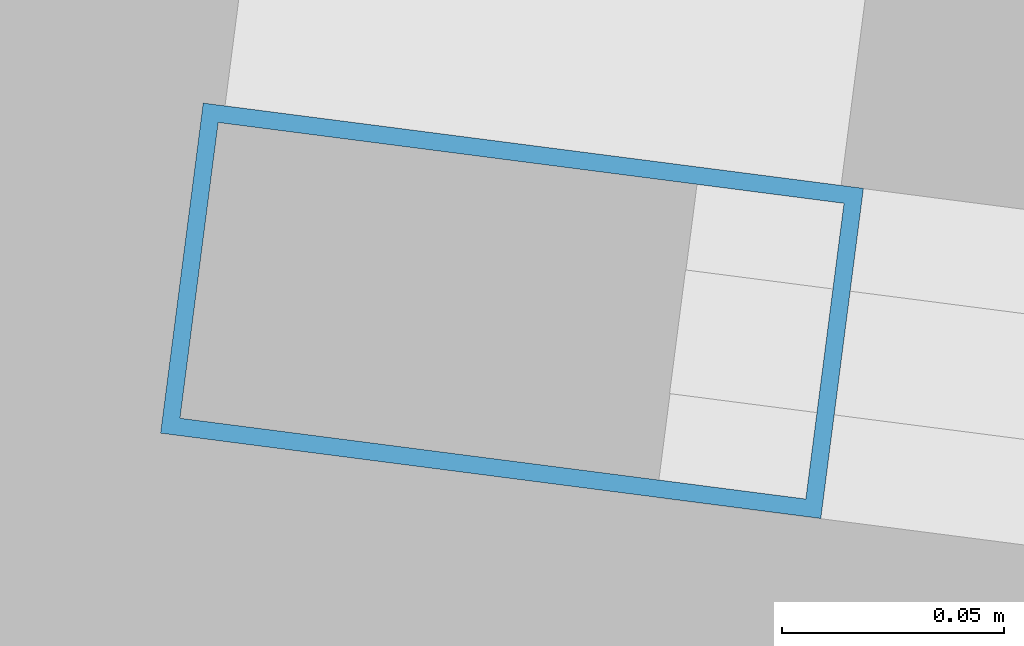
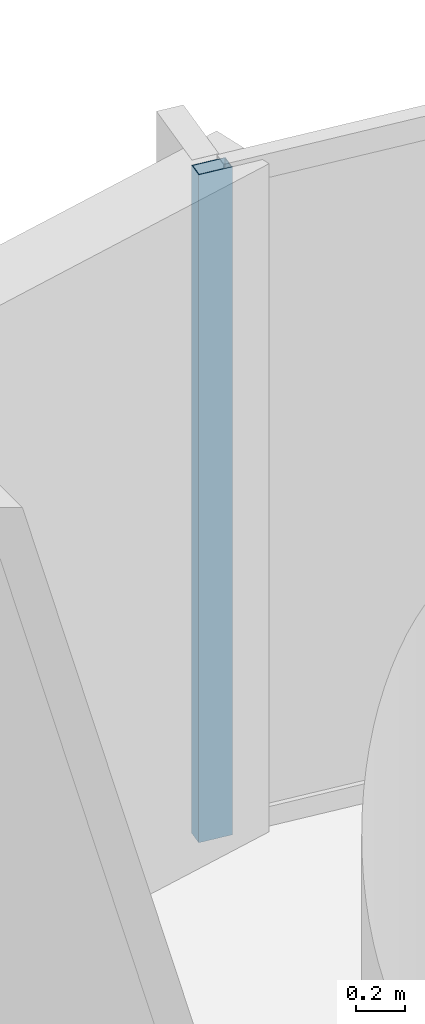
# One storey, part 20 of 32: 1 member, 1 element without a shape of its own.
"""IFC4 building model written with IfcOpenShell, lengths in metres."""

from ifc_helpers import new_model, si_unit, direction, frame, origin, origin_2d, place, context, subcontext, project, spatial, hollow_rectangle, extrude, material, layer, layer_set, material_profile, profile_set, type_object, element, aggregate, save


model = new_model("IFC4")

# Units and contexts
model_context = context("Model", 3, precision=1e-05, world=origin(), true_north=direction((0.0, 1.0)))
body_context = subcontext(model_context, "Body", "Model", "MODEL_VIEW")
ifc_project = project(units=[si_unit("LENGTHUNIT", "METRE"), si_unit("AREAUNIT", "SQUARE_METRE"), si_unit("VOLUMEUNIT", "CUBIC_METRE"), si_unit("PLANEANGLEUNIT", "RADIAN"), si_unit("MASSUNIT", "GRAM", prefix="KILO")], contexts=[model_context])

# Site, building, storey
site_placement = place(None, origin())
site = spatial("IfcSite", under=ifc_project, at=site_placement, CompositionType="ELEMENT")
building_placement = place(site_placement, origin())
building = spatial("IfcBuilding", under=site, at=building_placement, Name="Kazevale Care Tower and Concert Hall", CompositionType="ELEMENT")
storey_placement = place(building_placement, frame((0.0, 0.0, 42.0)))
storey = spatial("IfcBuildingStorey", under=building, at=storey_placement, Name="L10", CompositionType="ELEMENT", Elevation=42.0)

# Curtain wall, member
ifc_material_1 = material(Name="Aluminium 6063-T6 and Low-E Glass", Category="aluminium")
ifc_layer = layer(ifc_material_1, 0.179931640625)
ifc_layer_set = layer_set([ifc_layer], Name="Aluminium 6063-T6 and Low-E Glass")
curtain_wall_type = type_object("IfcCurtainWallType", Name="Convex Recessed Sunroom Curtain Wall CW-3", PredefinedType="NOTDEFINED", material=ifc_layer_set)
curtain_wall_placement = place(storey_placement, origin())
curtain_wall = element("IfcCurtainWall", 1, at=curtain_wall_placement, inside=storey, type_object=curtain_wall_type, Name="cw:L10:f16", PredefinedType="NOTDEFINED")
ifc_material_2 = material(Name="Aluminium 6063-T6", Category="aluminium")
ifc_material_profile = material_profile(ifc_material_2, hollow_rectangle(XDim=0.074951171875, YDim=0.14990234375, WallThickness=0.00390625, at=origin_2d()), Name="ALU75x150x4")
ifc_profile_set = profile_set([ifc_material_profile], Name="Aluminium 6063-T6")
member_type = type_object("IfcMemberType", Name="CW-3 Mullion ALU75x150x4", PredefinedType="MULLION", material=ifc_profile_set)
member_placement = place(storey_placement, frame((45.0771484375, 65.417236328125, 0.0), z_axis=(0.0, 0.0, 1.0), x_axis=(0.128086196538, 0.991763039368, 0.0)))
member = element("IfcMember", 2, at=member_placement, type_object=member_type, Name="CW-3 mullion 1", PredefinedType="MULLION", context=body_context, shape_type="SweptSolid", body=[
    extrude(hollow_rectangle(XDim=0.074951171875, YDim=0.14990234375, WallThickness=0.00390625, at=origin_2d()), origin(), (0.0, 0.0, 1.0), 3.360107421875),
])
aggregate(curtain_wall, [member])

save(model, "model.ifc")
